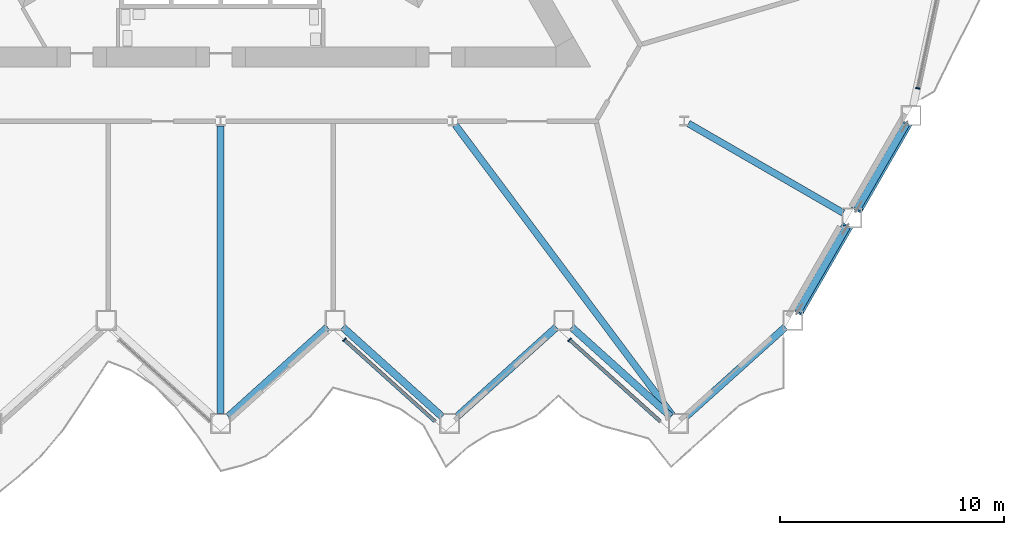
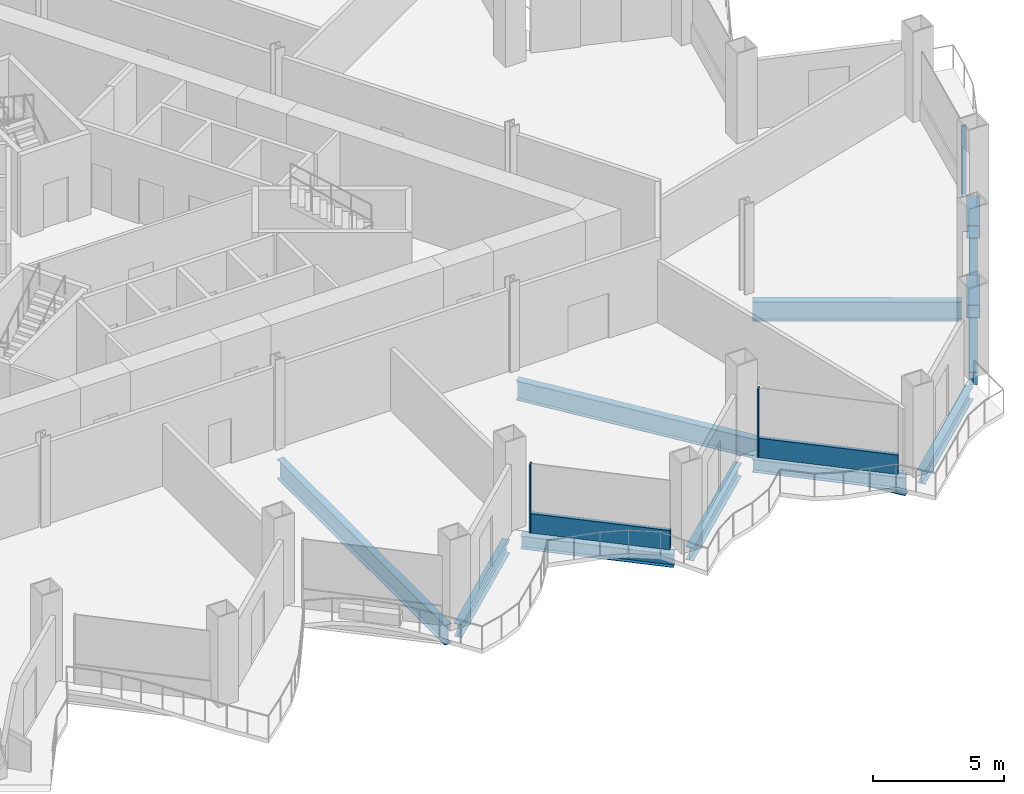
# One storey, part 5 of 21: 10 beams, 7 members, 3 elements without a shape of their own.
"""IFC4 building model written with IfcOpenShell, lengths in metres."""

from ifc_helpers import new_model, si_unit, direction, frame, origin, origin_2d, place, context, subcontext, project, spatial, rectangle, hollow_rectangle, i_section, extrude, material, layer, layer_set, material_profile, profile_set, type_object, element, aggregate, save


model = new_model("IFC4")

# Units and contexts
model_context = context("Model", 3, precision=1e-05, world=origin(), true_north=direction((0.0, 1.0)))
body_context = subcontext(model_context, "Body", "Model", "MODEL_VIEW")
ifc_project = project(units=[si_unit("LENGTHUNIT", "METRE"), si_unit("AREAUNIT", "SQUARE_METRE"), si_unit("VOLUMEUNIT", "CUBIC_METRE"), si_unit("PLANEANGLEUNIT", "RADIAN"), si_unit("MASSUNIT", "GRAM", prefix="KILO")], contexts=[model_context])

# Site, building, storey
site_placement = place(None, origin())
site = spatial("IfcSite", under=ifc_project, at=site_placement, CompositionType="ELEMENT")
building_placement = place(site_placement, origin())
building = spatial("IfcBuilding", under=site, at=building_placement, Name="Cormorant Prow Tower", CompositionType="ELEMENT")
storey_placement = place(building_placement, frame((0.0, 0.0, 112.199951171875)))
storey = spatial("IfcBuildingStorey", under=building, at=storey_placement, Name="L23", CompositionType="ELEMENT", Elevation=112.199951171875)

# Members
ifc_material_1 = material(Name="Structural steel ASTM A500 Gr C", Category="steel")
ifc_material_profile_1 = material_profile(ifc_material_1, hollow_rectangle(XDim=0.508056640625, YDim=0.508056640625, WallThickness=0.014892578125, at=origin_2d()), Name="HSS20x20x5/8")
ifc_profile_set_1 = profile_set([ifc_material_profile_1], Name="Structural steel ASTM A500 Gr C")
member_type_1 = type_object("IfcMemberType", Name="Chamfer brace HSS20x20x5/8", PredefinedType="BRACE", material=ifc_profile_set_1)
for number, where, z_axis, x_axis, name in (
    (1, (27.900634765625, -16.648681640625, 0.776611328125), (-0.467784671838, -0.810243526908, 0.35310469821), (0.866029868417, -0.499992266949, 0.0), "Chamfer brace BR1 at ESE00 L23"),
    (2, (30.535400390625, -12.0849609375, 0.776611328125), (-0.467784671838, -0.810243526908, 0.35310469821), (0.866029868417, -0.499992266949, 0.0), "Chamfer brace BR1 at ESE01 L23"),
):
    element("IfcMember", number, at=place(storey_placement, frame(where, z_axis=z_axis, x_axis=x_axis)), inside=storey, type_object=member_type_1, Name=name, PredefinedType="BRACE", context=body_context, shape_type="SweptSolid", body=[
        extrude(hollow_rectangle(XDim=0.508056640625, YDim=0.508056640625, WallThickness=0.014892578125, at=origin_2d()), origin(), (0.0, 0.0, 1.0), 4.632568359375),
    ])

# Curtain wall, member
ifc_material_2 = material(Name="Aluminium 6063-T6", Category="aluminium")
ifc_layer = layer(ifc_material_2, 0.199951171875)
ifc_layer_set = layer_set([ifc_layer], Name="Aluminium 6063-T6")
curtain_wall_type = type_object("IfcCurtainWallType", Name="Office unitised curtain wall 200", PredefinedType="NOTDEFINED", material=ifc_layer_set)
curtain_wall_1_placement = place(storey_placement, origin())
curtain_wall_1 = element("IfcCurtainWall", 3, at=curtain_wall_1_placement, inside=storey, type_object=curtain_wall_type, Name="Office curtain wall S06", PredefinedType="NOTDEFINED")
ifc_material_3 = material(Name="Aluminium 6063-T6", Category="aluminium")
ifc_material_profile_2 = material_profile(ifc_material_3, rectangle(XDim=0.199951171875, YDim=0.06005859375, at=origin_2d()), Name="Office mullion 60x200")
ifc_profile_set_2 = profile_set([ifc_material_profile_2], Name="Aluminium 6063-T6")
member_type_2 = type_object("IfcMemberType", Name="Office mullion 60x200", PredefinedType="MULLION", material=ifc_profile_set_2)
member_1_placement = place(storey_placement, frame((5.512939453125, -21.671142578125, 0.0), z_axis=(0.0, 0.0, 1.0), x_axis=(0.669130597526, 0.74314483343, 0.0)))
member_1 = element("IfcMember", 4, at=member_1_placement, type_object=member_type_2, Name="Office mullion S06", PredefinedType="MULLION", context=body_context, shape_type="SweptSolid", body=[
    extrude(rectangle(XDim=0.199951171875, YDim=0.06005859375, at=origin_2d()), origin(), (0.0, 0.0, 1.0), 3.18896484375),
])

curtain_wall_2_placement = place(storey_placement, origin())
curtain_wall_2 = element("IfcCurtainWall", 5, at=curtain_wall_2_placement, inside=storey, type_object=curtain_wall_type, Name="Office curtain wall S08", PredefinedType="NOTDEFINED")
member_2_placement = place(storey_placement, frame((15.549072265625, -21.671142578125, 0.0), z_axis=(0.0, 0.0, 1.0), x_axis=(0.669130597526, 0.74314483343, 0.0)))
member_2 = element("IfcMember", 6, at=member_2_placement, type_object=member_type_2, Name="Office mullion S08", PredefinedType="MULLION", context=body_context, shape_type="SweptSolid", body=[
    extrude(rectangle(XDim=0.199951171875, YDim=0.06005859375, at=origin_2d()), origin(), (0.0, 0.0, 1.0), 3.18896484375),
])

curtain_wall_3_placement = place(storey_placement, origin())
curtain_wall_3 = element("IfcCurtainWall", 7, at=curtain_wall_3_placement, inside=storey, type_object=curtain_wall_type, Name="Office curtain wall ENE00", PredefinedType="NOTDEFINED")
member_3_placement = place(storey_placement, frame((31.0654296875, -10.464599609375, 0.0), z_axis=(0.0, 0.0, 1.0), x_axis=(-0.978147610002, 0.207911647216, 0.0)))
member_3 = element("IfcMember", 8, at=member_3_placement, type_object=member_type_2, Name="Office mullion ENE00", PredefinedType="MULLION", context=body_context, shape_type="SweptSolid", body=[
    extrude(rectangle(XDim=0.199951171875, YDim=0.06005859375, at=origin_2d()), origin(), (0.0, 0.0, 1.0), 3.18896484375),
])
aggregate(curtain_wall_3, [member_3])

# Member
ifc_material_4 = material(Name="Terracotta", Category="masonry")
ifc_material_profile_3 = material_profile(ifc_material_4, rectangle(XDim=0.159912109375, YDim=0.89990234375, at=origin_2d()), Name="Office terracotta spandrel rail 160x900")
ifc_profile_set_3 = profile_set([ifc_material_profile_3], Name="Terracotta")
member_type_3 = type_object("IfcMemberType", Name="Office terracotta spandrel rail 160x900", PredefinedType="USERDEFINED", material=ifc_profile_set_3)
member_4_placement = place(storey_placement, frame((5.53515625, -21.691162109375, 0.449951171875), z_axis=(0.743159757815, -0.669114021946, 0.0), x_axis=(0.669114021946, 0.743159757815, 0.0)))
member_4 = element("IfcMember", 9, at=member_4_placement, type_object=member_type_3, Name="Office spandrel rail S06", ObjectType="TRANSOM", PredefinedType="USERDEFINED", context=body_context, shape_type="SweptSolid", body=[
    extrude(rectangle(XDim=0.159912109375, YDim=0.89990234375, at=origin_2d()), origin(), (0.0, 0.0, 1.0), 5.42041015625),
])

aggregate(curtain_wall_1, [member_1, member_4])

member_5_placement = place(storey_placement, frame((15.5712890625, -21.691162109375, 0.449951171875), z_axis=(0.743159757815, -0.669114021946, 0.0), x_axis=(0.669114021946, 0.743159757815, 0.0)))
member_5 = element("IfcMember", 10, at=member_5_placement, type_object=member_type_3, Name="Office spandrel rail S08", ObjectType="TRANSOM", PredefinedType="USERDEFINED", context=body_context, shape_type="SweptSolid", body=[
    extrude(rectangle(XDim=0.159912109375, YDim=0.89990234375, at=origin_2d()), origin(), (0.0, 0.0, 1.0), 5.42041015625),
])

aggregate(curtain_wall_2, [member_2, member_5])

# Beams
ifc_material_5 = material(Name="Structural steel ASTM A992 Gr 50", Category="steel")
ifc_material_profile_4 = material_profile(ifc_material_5, i_section(OverallWidth=0.3046875, OverallDepth=0.914794921875, WebThickness=0.0166015625, FlangeThickness=0.02587890625, at=origin_2d()), Name="W36x160")
ifc_profile_set_4 = profile_set([ifc_material_profile_4], Name="Structural steel ASTM A992 Gr 50")
beam_type_1 = type_object("IfcBeamType", Name="Radial floor beam W36x160", PredefinedType="BEAM", material=ifc_profile_set_4)
beam_1_placement = place(storey_placement, frame((0.0, -12.143798828125, -0.857421875), z_axis=(0.0, -1.0, 0.0), x_axis=(1.0, 0.0, 0.0)))
element("IfcBeam", 11, at=beam_1_placement, inside=storey, type_object=beam_type_1, Name="Radial floor beam FB1 7 L23", PredefinedType="BEAM", context=body_context, shape_type="SweptSolid", body=[
    extrude(i_section(OverallWidth=0.3046875, OverallDepth=0.914794921875, WebThickness=0.0166015625, FlangeThickness=0.02587890625, at=origin_2d()), origin(), (0.0, 0.0, 1.0), 12.805419921875),
])
beam_2_placement = place(storey_placement, frame((10.458740234375, -12.100341796875, -0.857421875), z_axis=(0.598722444929, -0.800956574315, 0.0), x_axis=(0.800956574315, 0.598722444929, 0.0)))
element("IfcBeam", 12, at=beam_2_placement, inside=storey, type_object=beam_type_1, Name="Radial floor beam FB1 8 L23", PredefinedType="BEAM", context=body_context, shape_type="SweptSolid", body=[
    extrude(i_section(OverallWidth=0.3046875, OverallDepth=0.914794921875, WebThickness=0.0166015625, FlangeThickness=0.02587890625, at=origin_2d()), origin(), (0.0, 0.0, 1.0), 16.15380859375),
])
beam_3_placement = place(storey_placement, frame((20.84521484375, -12.034912109375, -0.857421875), z_axis=(0.866018715534, -0.50001158421, 0.0), x_axis=(0.50001158421, 0.866018715534, 0.0)))
element("IfcBeam", 13, at=beam_3_placement, inside=storey, type_object=beam_type_1, Name="Radial floor beam FB1 9 L23", PredefinedType="BEAM", context=body_context, shape_type="SweptSolid", body=[
    extrude(i_section(OverallWidth=0.3046875, OverallDepth=0.914794921875, WebThickness=0.0166015625, FlangeThickness=0.02587890625, at=origin_2d()), origin(), (0.0, 0.0, 1.0), 7.967041015625),
])
ifc_material_6 = material(Name="Structural steel ASTM A992 Gr 50", Category="steel")
ifc_material_profile_5 = material_profile(ifc_material_6, i_section(OverallWidth=0.32373046875, OverallDepth=0.611083984375, WebThickness=0.0126953125, FlangeThickness=0.01904296875, at=origin_2d()), Name="W24x104")
ifc_profile_set_5 = profile_set([ifc_material_profile_5], Name="Structural steel ASTM A992 Gr 50")
beam_type_2 = type_object("IfcBeamType", Name="Spandrel beam W24x104", PredefinedType="SPANDREL", material=ifc_profile_set_5)
for number, where, z_axis, x_axis, name in (
    (14, (0.33447265625, -25.09814453125, -0.70556640625), (0.743131253571, 0.66914567918, 0.0), (-0.66914567918, 0.743131253571, 0.0), "Spandrel beam SB1 S05-S06 L23"),
    (15, (5.434326171875, -21.108154296875, -0.70556640625), (0.743131253571, -0.66914567918, 0.0), (0.66914567918, 0.743131253571, 0.0), "Spandrel beam SB1 S06-S07 L23"),
    (16, (10.5341796875, -25.09814453125, -0.70556640625), (0.743131253571, 0.66914567918, 0.0), (-0.66914567918, 0.743131253571, 0.0), "Spandrel beam SB1 S07-S08 L23"),
    (17, (15.63427734375, -21.108154296875, -0.70556640625), (0.743131253571, -0.66914567918, 0.0), (0.66914567918, 0.743131253571, 0.0), "Spandrel beam SB1 S08-S09 L23"),
    (18, (20.734130859375, -25.09814453125, -0.70556640625), (0.743131253571, 0.66914567918, 0.0), (-0.66914567918, 0.743131253571, 0.0), "Spandrel beam SB1 S09-ESE00 L23"),
):
    element("IfcBeam", number, at=place(storey_placement, frame(where, z_axis=z_axis, x_axis=x_axis)), inside=storey, type_object=beam_type_2, Name=name, PredefinedType="SPANDREL", context=body_context, shape_type="SweptSolid", body=[
        extrude(i_section(OverallWidth=0.32373046875, OverallDepth=0.611083984375, WebThickness=0.0126953125, FlangeThickness=0.01904296875, at=origin_2d()), origin(), (0.0, 0.0, 1.0), 5.962890625),
    ])
for number, where, z_axis, x_axis, name in (
    (19, (25.724609375, -20.41748046875, -0.70556640625), (0.500002967982, 0.866023690213, 0.0), (-0.866023690213, 0.500002967982, 0.0), "Spandrel beam SB1 ESE00-ESE01 L23"),
    (20, (28.359619140625, -15.853759765625, -0.70556640625), (0.500002967982, 0.866023690213, 0.0), (-0.866023690213, 0.500002967982, 0.0), "Spandrel beam SB1 ESE01-ENE00 L23"),
):
    element("IfcBeam", number, at=place(storey_placement, frame(where, z_axis=z_axis, x_axis=x_axis)), inside=storey, type_object=beam_type_2, Name=name, PredefinedType="SPANDREL", context=body_context, shape_type="SweptSolid", body=[
        extrude(i_section(OverallWidth=0.32373046875, OverallDepth=0.611083984375, WebThickness=0.0126953125, FlangeThickness=0.01904296875, at=origin_2d()), origin(), (0.0, 0.0, 1.0), 4.36962890625),
    ])

save(model, "model.ifc")
